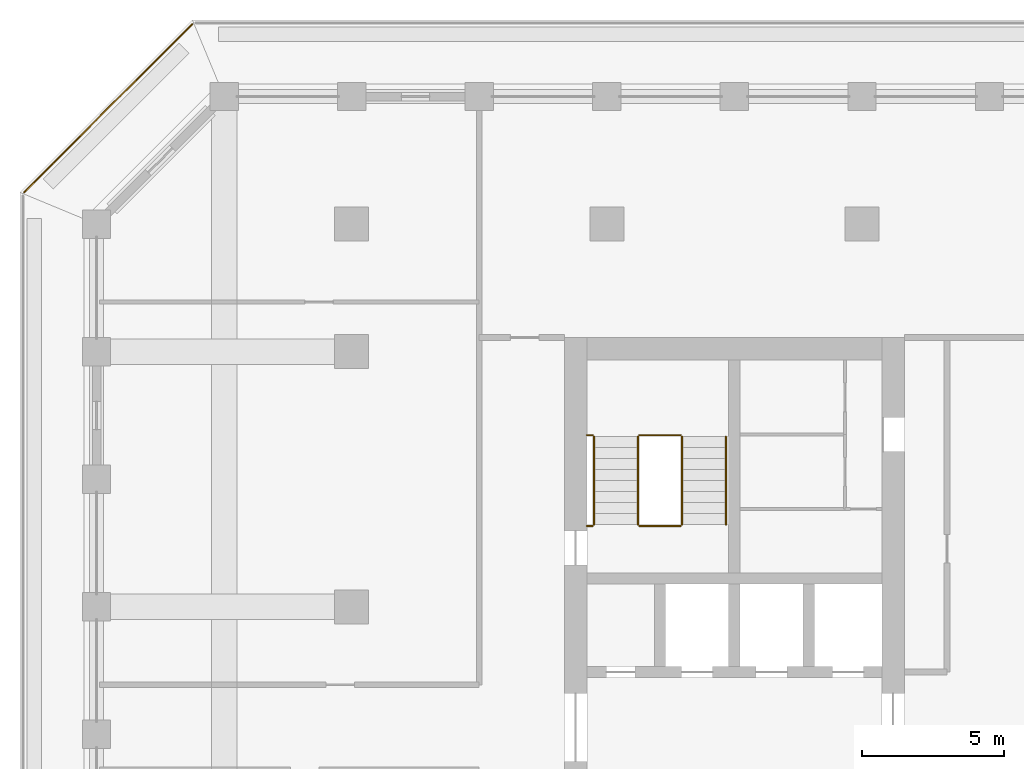
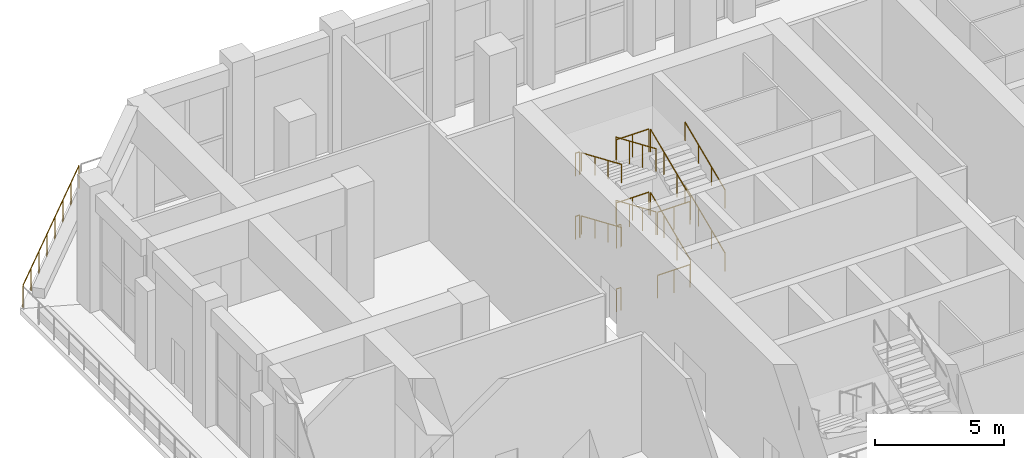
# One storey, part 22 of 25: 17 railings.
"""IFC4 building model written with IfcOpenShell, lengths in metres."""

from ifc_helpers import new_model, si_unit, direction, frame, origin, origin_2d, place, context, subcontext, project, spatial, circle, extrude, material, type_object, element, save


model = new_model("IFC4")

# Units and contexts
model_context = context("Model", 3, precision=1e-05, world=origin(), true_north=direction((0.0, 1.0)))
body_context = subcontext(model_context, "Body", "Model", "MODEL_VIEW")
ifc_project = project(units=[si_unit("LENGTHUNIT", "METRE"), si_unit("AREAUNIT", "SQUARE_METRE"), si_unit("VOLUMEUNIT", "CUBIC_METRE"), si_unit("PLANEANGLEUNIT", "RADIAN"), si_unit("MASSUNIT", "GRAM", prefix="KILO")], contexts=[model_context])

# Site, building, storey
site_placement = place(None, origin())
site = spatial("IfcSite", under=ifc_project, at=site_placement, CompositionType="ELEMENT")
building_placement = place(site_placement, origin())
building = spatial("IfcBuilding", under=site, at=building_placement, Name="Corbel Stack Research Tower", CompositionType="ELEMENT")
storey_placement = place(building_placement, frame((0.0, 0.0, 185.5)))
storey = spatial("IfcBuildingStorey", under=building, at=storey_placement, Name="L42", CompositionType="ELEMENT", Elevation=185.5)

# Railings
ifc_material_1 = material(Name="Steel S355", Category="steel")
railing_type_1 = type_object("IfcRailingType", Name="Stair guard 1100", PredefinedType="GUARDRAIL", material=ifc_material_1)
railing_1_placement = place(storey_placement, frame((-6.35009765625, 11.89990234375, 0.166748046875)))
element("IfcRailing", 1, at=railing_1_placement, inside=storey, type_object=railing_type_1, Name="L42 ST-W2 stair guard 1", PredefinedType="GUARDRAIL", context=body_context, shape_type="SweptSolid", body=[
    extrude(circle(Radius=0.02392578125, at=origin_2d()), frame((0.0, 0.0, 1.076171875), z_axis=(0.0, 0.918826996994, 0.394660549834), x_axis=(-1.0, 0.0, 0.0)), (0.0, 0.0, 1.0), 3.378173828125),
    extrude(circle(Radius=0.02099609375, at=origin_2d()), origin(), (0.0, 0.0, 1.0), 1.052001953125),
    extrude(circle(Radius=0.02099609375, at=origin_2d()), frame((0.0, 1.03466796875, 0.4443359375)), (0.0, 0.0, 1.0), 1.052001953125),
    extrude(circle(Radius=0.02099609375, at=origin_2d()), frame((0.0, 2.0693359375, 0.888916015625)), (0.0, 0.0, 1.0), 1.052001953125),
    extrude(circle(Radius=0.02099609375, at=origin_2d()), frame((0.0, 3.10400390625, 1.333251953125)), (0.0, 0.0, 1.0), 1.052001953125),
])
railing_2_placement = place(storey_placement, frame((-6.39990234375, 15.053955078125, 1.5)))
element("IfcRailing", 2, at=railing_2_placement, inside=storey, type_object=railing_type_1, Name="L42 ST-W2 stair guard 2", PredefinedType="GUARDRAIL", context=body_context, shape_type="SweptSolid", body=[
    extrude(circle(Radius=0.02392578125, at=origin_2d()), frame((0.0, 0.0, 1.076171875), z_axis=(-1.0, 0.0, 0.0), x_axis=(0.0, -1.0, 0.0)), (0.0, 0.0, 1.0), 1.4501953125),
    extrude(circle(Radius=0.02099609375, at=origin_2d()), origin(), (0.0, 0.0, 1.0), 1.052001953125),
    extrude(circle(Radius=0.02099609375, at=origin_2d()), frame((-0.72509765625, 0.0, 0.0)), (0.0, 0.0, 1.0), 1.052001953125),
    extrude(circle(Radius=0.02099609375, at=origin_2d()), frame((-1.4501953125, 0.0, 0.0)), (0.0, 0.0, 1.0), 1.052001953125),
])
railing_3_placement = place(storey_placement, frame((-9.5, 15.053955078125, 1.5)))
element("IfcRailing", 3, at=railing_3_placement, inside=storey, type_object=railing_type_1, Name="L42 ST-W2 stair guard 3", PredefinedType="GUARDRAIL", context=body_context, shape_type="SweptSolid", body=[
    extrude(circle(Radius=0.02392578125, at=origin_2d()), frame((0.0, 0.0, 1.076171875), z_axis=(-1.0, 0.0, 0.0), x_axis=(0.0, -1.0, 0.0)), (0.0, 0.0, 1.0), 0.199951171875),
    extrude(circle(Radius=0.02099609375, at=origin_2d()), origin(), (0.0, 0.0, 1.0), 1.052001953125),
    extrude(circle(Radius=0.02099609375, at=origin_2d()), frame((-0.199951171875, 0.0, 0.0)), (0.0, 0.0, 1.0), 1.052001953125),
])
railing_4_placement = place(storey_placement, frame((-7.89990234375, 15.00390625, 1.666748046875)))
element("IfcRailing", 4, at=railing_4_placement, inside=storey, type_object=railing_type_1, Name="L42 ST-W2 stair guard 4", PredefinedType="GUARDRAIL", context=body_context, shape_type="SweptSolid", body=[
    extrude(circle(Radius=0.02392578125, at=origin_2d()), frame((0.0, 0.0, 1.076171875), z_axis=(0.0, -0.918826996994, 0.394660549834), x_axis=(1.0, 0.0, 0.0)), (0.0, 0.0, 1.0), 3.378173828125),
    extrude(circle(Radius=0.02099609375, at=origin_2d()), origin(), (0.0, 0.0, 1.0), 1.052001953125),
    extrude(circle(Radius=0.02099609375, at=origin_2d()), frame((0.0, -1.03466796875, 0.4443359375)), (0.0, 0.0, 1.0), 1.052001953125),
    extrude(circle(Radius=0.02099609375, at=origin_2d()), frame((0.0, -2.0693359375, 0.888916015625)), (0.0, 0.0, 1.0), 1.052001953125),
    extrude(circle(Radius=0.02099609375, at=origin_2d()), frame((0.0, -3.10400390625, 1.333251953125)), (0.0, 0.0, 1.0), 1.052001953125),
])
railing_5_placement = place(storey_placement, frame((-6.39990234375, 11.85009765625, 3.0)))
element("IfcRailing", 5, at=railing_5_placement, inside=storey, type_object=railing_type_1, Name="L42 ST-W2 stair guard 5", PredefinedType="GUARDRAIL", context=body_context, shape_type="SweptSolid", body=[
    extrude(circle(Radius=0.02392578125, at=origin_2d()), frame((0.0, 0.0, 1.076171875), z_axis=(-1.0, 0.0, 0.0), x_axis=(0.0, -1.0, 0.0)), (0.0, 0.0, 1.0), 1.4501953125),
    extrude(circle(Radius=0.02099609375, at=origin_2d()), origin(), (0.0, 0.0, 1.0), 1.052001953125),
    extrude(circle(Radius=0.02099609375, at=origin_2d()), frame((-0.72509765625, 0.0, 0.0)), (0.0, 0.0, 1.0), 1.052001953125),
    extrude(circle(Radius=0.02099609375, at=origin_2d()), frame((-1.4501953125, 0.0, 0.0)), (0.0, 0.0, 1.0), 1.052001953125),
])
railing_6_placement = place(storey_placement, frame((-9.5, 11.85009765625, 3.0)))
element("IfcRailing", 6, at=railing_6_placement, inside=storey, type_object=railing_type_1, Name="L42 ST-W2 stair guard 6", PredefinedType="GUARDRAIL", context=body_context, shape_type="SweptSolid", body=[
    extrude(circle(Radius=0.02392578125, at=origin_2d()), frame((0.0, 0.0, 1.076171875), z_axis=(-1.0, 0.0, 0.0), x_axis=(0.0, -1.0, 0.0)), (0.0, 0.0, 1.0), 0.199951171875),
    extrude(circle(Radius=0.02099609375, at=origin_2d()), origin(), (0.0, 0.0, 1.0), 1.052001953125),
    extrude(circle(Radius=0.02099609375, at=origin_2d()), frame((-0.199951171875, 0.0, 0.0)), (0.0, 0.0, 1.0), 1.052001953125),
])
railing_7_placement = place(storey_placement, frame((-6.35009765625, 11.89990234375, 3.166748046875)))
element("IfcRailing", 7, at=railing_7_placement, inside=storey, type_object=railing_type_1, Name="L42 ST-W2 stair guard 7", PredefinedType="GUARDRAIL", context=body_context, shape_type="SweptSolid", body=[
    extrude(circle(Radius=0.02392578125, at=origin_2d()), frame((0.0, 0.0, 1.076171875), z_axis=(0.0, 0.918826996994, 0.394660549834), x_axis=(-1.0, 0.0, 0.0)), (0.0, 0.0, 1.0), 3.378173828125),
    extrude(circle(Radius=0.02099609375, at=origin_2d()), origin(), (0.0, 0.0, 1.0), 1.052001953125),
    extrude(circle(Radius=0.02099609375, at=origin_2d()), frame((0.0, 1.03466796875, 0.4443359375)), (0.0, 0.0, 1.0), 1.052001953125),
    extrude(circle(Radius=0.02099609375, at=origin_2d()), frame((0.0, 2.0693359375, 0.888916015625)), (0.0, 0.0, 1.0), 1.052001953125),
    extrude(circle(Radius=0.02099609375, at=origin_2d()), frame((0.0, 3.10400390625, 1.333251953125)), (0.0, 0.0, 1.0), 1.052001953125),
])
railing_8_placement = place(storey_placement, frame((-6.39990234375, 15.053955078125, 4.5)))
element("IfcRailing", 8, at=railing_8_placement, inside=storey, type_object=railing_type_1, Name="L42 ST-W2 stair guard 8", PredefinedType="GUARDRAIL", context=body_context, shape_type="SweptSolid", body=[
    extrude(circle(Radius=0.02392578125, at=origin_2d()), frame((0.0, 0.0, 1.076171875), z_axis=(-1.0, 0.0, 0.0), x_axis=(0.0, -1.0, 0.0)), (0.0, 0.0, 1.0), 1.4501953125),
    extrude(circle(Radius=0.02099609375, at=origin_2d()), origin(), (0.0, 0.0, 1.0), 1.052001953125),
    extrude(circle(Radius=0.02099609375, at=origin_2d()), frame((-0.72509765625, 0.0, 0.0)), (0.0, 0.0, 1.0), 1.052001953125),
    extrude(circle(Radius=0.02099609375, at=origin_2d()), frame((-1.4501953125, 0.0, 0.0)), (0.0, 0.0, 1.0), 1.052001953125),
])
railing_9_placement = place(storey_placement, frame((-9.5, 15.053955078125, 4.5)))
element("IfcRailing", 9, at=railing_9_placement, inside=storey, type_object=railing_type_1, Name="L42 ST-W2 stair guard 9", PredefinedType="GUARDRAIL", context=body_context, shape_type="SweptSolid", body=[
    extrude(circle(Radius=0.02392578125, at=origin_2d()), frame((0.0, 0.0, 1.076171875), z_axis=(-1.0, 0.0, 0.0), x_axis=(0.0, -1.0, 0.0)), (0.0, 0.0, 1.0), 0.199951171875),
    extrude(circle(Radius=0.02099609375, at=origin_2d()), origin(), (0.0, 0.0, 1.0), 1.052001953125),
    extrude(circle(Radius=0.02099609375, at=origin_2d()), frame((-0.199951171875, 0.0, 0.0)), (0.0, 0.0, 1.0), 1.052001953125),
])
railing_10_placement = place(storey_placement, frame((-7.89990234375, 15.00390625, 4.666748046875)))
element("IfcRailing", 10, at=railing_10_placement, inside=storey, type_object=railing_type_1, Name="L42 ST-W2 stair guard 10", PredefinedType="GUARDRAIL", context=body_context, shape_type="SweptSolid", body=[
    extrude(circle(Radius=0.02392578125, at=origin_2d()), frame((0.0, 0.0, 1.076171875), z_axis=(0.0, -0.918826996994, 0.394660549834), x_axis=(1.0, 0.0, 0.0)), (0.0, 0.0, 1.0), 3.378173828125),
    extrude(circle(Radius=0.02099609375, at=origin_2d()), origin(), (0.0, 0.0, 1.0), 1.052001953125),
    extrude(circle(Radius=0.02099609375, at=origin_2d()), frame((0.0, -1.03466796875, 0.4443359375)), (0.0, 0.0, 1.0), 1.052001953125),
    extrude(circle(Radius=0.02099609375, at=origin_2d()), frame((0.0, -2.0693359375, 0.888916015625)), (0.0, 0.0, 1.0), 1.052001953125),
    extrude(circle(Radius=0.02099609375, at=origin_2d()), frame((0.0, -3.10400390625, 1.333251953125)), (0.0, 0.0, 1.0), 1.052001953125),
])
railing_11_placement = place(storey_placement, frame((-6.39990234375, 11.85009765625, 0.0)))
element("IfcRailing", 11, at=railing_11_placement, inside=storey, type_object=railing_type_1, Name="L42 ST-W2 stair guard 11", PredefinedType="GUARDRAIL", context=body_context, shape_type="SweptSolid", body=[
    extrude(circle(Radius=0.02392578125, at=origin_2d()), frame((0.0, 0.0, 1.076171875), z_axis=(-1.0, 0.0, 0.0), x_axis=(0.0, -1.0, 0.0)), (0.0, 0.0, 1.0), 1.4501953125),
    extrude(circle(Radius=0.02099609375, at=origin_2d()), origin(), (0.0, 0.0, 1.0), 1.052001953125),
    extrude(circle(Radius=0.02099609375, at=origin_2d()), frame((-0.72509765625, 0.0, 0.0)), (0.0, 0.0, 1.0), 1.052001953125),
    extrude(circle(Radius=0.02099609375, at=origin_2d()), frame((-1.4501953125, 0.0, 0.0)), (0.0, 0.0, 1.0), 1.052001953125),
])
railing_12_placement = place(storey_placement, frame((-9.5, 11.85009765625, 0.0)))
element("IfcRailing", 12, at=railing_12_placement, inside=storey, type_object=railing_type_1, Name="L42 ST-W2 stair guard 12", PredefinedType="GUARDRAIL", context=body_context, shape_type="SweptSolid", body=[
    extrude(circle(Radius=0.02392578125, at=origin_2d()), frame((0.0, 0.0, 1.076171875), z_axis=(-1.0, 0.0, 0.0), x_axis=(0.0, -1.0, 0.0)), (0.0, 0.0, 1.0), 0.199951171875),
    extrude(circle(Radius=0.02099609375, at=origin_2d()), origin(), (0.0, 0.0, 1.0), 1.052001953125),
    extrude(circle(Radius=0.02099609375, at=origin_2d()), frame((-0.199951171875, 0.0, 0.0)), (0.0, 0.0, 1.0), 1.052001953125),
])
ifc_material_2 = material(Name="Steel S355", Category="steel")
railing_type_2 = type_object("IfcRailingType", Name="Stair handrail 900", PredefinedType="HANDRAIL", material=ifc_material_2)
railing_13_placement = place(storey_placement, frame((-4.800048828125, 11.89990234375, 0.166748046875)))
element("IfcRailing", 13, at=railing_13_placement, inside=storey, type_object=railing_type_2, Name="L42 ST-W2 stair handrail 1", PredefinedType="HANDRAIL", context=body_context, shape_type="SweptSolid", body=[
    extrude(circle(Radius=0.02392578125, at=origin_2d()), frame((0.0, 0.0, 0.8759765625), z_axis=(0.0, 0.918826996994, 0.394660549834), x_axis=(-1.0, 0.0, 0.0)), (0.0, 0.0, 1.0), 3.378173828125),
    extrude(circle(Radius=0.02099609375, at=origin_2d()), origin(), (0.0, 0.0, 1.0), 0.851806640625),
    extrude(circle(Radius=0.02099609375, at=origin_2d()), frame((0.0, 1.03466796875, 0.4443359375)), (0.0, 0.0, 1.0), 0.851806640625),
    extrude(circle(Radius=0.02099609375, at=origin_2d()), frame((0.0, 2.0693359375, 0.888916015625)), (0.0, 0.0, 1.0), 0.851806640625),
    extrude(circle(Radius=0.02099609375, at=origin_2d()), frame((0.0, 3.10400390625, 1.333251953125)), (0.0, 0.0, 1.0), 0.851806640625),
])
railing_14_placement = place(storey_placement, frame((-9.449951171875, 15.00390625, 1.666748046875)))
element("IfcRailing", 14, at=railing_14_placement, inside=storey, type_object=railing_type_2, Name="L42 ST-W2 stair handrail 2", PredefinedType="HANDRAIL", context=body_context, shape_type="SweptSolid", body=[
    extrude(circle(Radius=0.02392578125, at=origin_2d()), frame((0.0, 0.0, 0.8759765625), z_axis=(0.0, -0.918826996994, 0.394660549834), x_axis=(1.0, 0.0, 0.0)), (0.0, 0.0, 1.0), 3.378173828125),
    extrude(circle(Radius=0.02099609375, at=origin_2d()), origin(), (0.0, 0.0, 1.0), 0.851806640625),
    extrude(circle(Radius=0.02099609375, at=origin_2d()), frame((0.0, -1.03466796875, 0.4443359375)), (0.0, 0.0, 1.0), 0.851806640625),
    extrude(circle(Radius=0.02099609375, at=origin_2d()), frame((0.0, -2.0693359375, 0.888916015625)), (0.0, 0.0, 1.0), 0.851806640625),
    extrude(circle(Radius=0.02099609375, at=origin_2d()), frame((0.0, -3.10400390625, 1.333251953125)), (0.0, 0.0, 1.0), 0.851806640625),
])
railing_15_placement = place(storey_placement, frame((-4.800048828125, 11.89990234375, 3.166748046875)))
element("IfcRailing", 15, at=railing_15_placement, inside=storey, type_object=railing_type_2, Name="L42 ST-W2 stair handrail 3", PredefinedType="HANDRAIL", context=body_context, shape_type="SweptSolid", body=[
    extrude(circle(Radius=0.02392578125, at=origin_2d()), frame((0.0, 0.0, 0.8759765625), z_axis=(0.0, 0.918826996994, 0.394660549834), x_axis=(-1.0, 0.0, 0.0)), (0.0, 0.0, 1.0), 3.378173828125),
    extrude(circle(Radius=0.02099609375, at=origin_2d()), origin(), (0.0, 0.0, 1.0), 0.851806640625),
    extrude(circle(Radius=0.02099609375, at=origin_2d()), frame((0.0, 1.03466796875, 0.4443359375)), (0.0, 0.0, 1.0), 0.851806640625),
    extrude(circle(Radius=0.02099609375, at=origin_2d()), frame((0.0, 2.0693359375, 0.888916015625)), (0.0, 0.0, 1.0), 0.851806640625),
    extrude(circle(Radius=0.02099609375, at=origin_2d()), frame((0.0, 3.10400390625, 1.333251953125)), (0.0, 0.0, 1.0), 0.851806640625),
])
railing_16_placement = place(storey_placement, frame((-9.449951171875, 15.00390625, 4.666748046875)))
element("IfcRailing", 16, at=railing_16_placement, inside=storey, type_object=railing_type_2, Name="L42 ST-W2 stair handrail 4", PredefinedType="HANDRAIL", context=body_context, shape_type="SweptSolid", body=[
    extrude(circle(Radius=0.02392578125, at=origin_2d()), frame((0.0, 0.0, 0.8759765625), z_axis=(0.0, -0.918826996994, 0.394660549834), x_axis=(1.0, 0.0, 0.0)), (0.0, 0.0, 1.0), 3.378173828125),
    extrude(circle(Radius=0.02099609375, at=origin_2d()), origin(), (0.0, 0.0, 1.0), 0.851806640625),
    extrude(circle(Radius=0.02099609375, at=origin_2d()), frame((0.0, -1.03466796875, 0.4443359375)), (0.0, 0.0, 1.0), 0.851806640625),
    extrude(circle(Radius=0.02099609375, at=origin_2d()), frame((0.0, -2.0693359375, 0.888916015625)), (0.0, 0.0, 1.0), 0.851806640625),
    extrude(circle(Radius=0.02099609375, at=origin_2d()), frame((0.0, -3.10400390625, 1.333251953125)), (0.0, 0.0, 1.0), 0.851806640625),
])
ifc_material_3 = material(Name="Powder-coated steel guard", Category="steel")
railing_type_3 = type_object("IfcRailingType", Name="Steel and glass guard 1100", PredefinedType="GUARDRAIL", material=ifc_material_3)
railing_17_placement = place(storey_placement, frame((-23.627685546875, 29.54931640625, 0.0)))
element("IfcRailing", 17, at=railing_17_placement, inside=storey, type_object=railing_type_3, Name="Loggia guard L42 NW", PredefinedType="GUARDRAIL", context=body_context, shape_type="SweptSolid", body=[
    extrude(circle(Radius=0.02392578125, at=origin_2d()), frame((0.0, 0.0, 1.076171875), z_axis=(-0.707106781187, -0.707106781187, 0.0), x_axis=(0.707106781187, -0.707106781187, 0.0)), (0.0, 0.0, 1.0), 8.37451171875),
    extrude(circle(Radius=0.02099609375, at=origin_2d()), origin(), (0.0, 0.0, 1.0), 1.052001953125),
    extrude(circle(Radius=0.02099609375, at=origin_2d()), frame((-0.845947265625, -0.845947265625, 0.0)), (0.0, 0.0, 1.0), 1.052001953125),
    extrude(circle(Radius=0.02099609375, at=origin_2d()), frame((-1.69189453125, -1.69189453125, 0.0)), (0.0, 0.0, 1.0), 1.052001953125),
    extrude(circle(Radius=0.02099609375, at=origin_2d()), frame((-2.537841796875, -2.537841796875, 0.0)), (0.0, 0.0, 1.0), 1.052001953125),
    extrude(circle(Radius=0.02099609375, at=origin_2d()), frame((-3.3837890625, -3.3837890625, 0.0)), (0.0, 0.0, 1.0), 1.052001953125),
    extrude(circle(Radius=0.02099609375, at=origin_2d()), frame((-4.229736328125, -4.229736328125, 0.0)), (0.0, 0.0, 1.0), 1.052001953125),
    extrude(circle(Radius=0.02099609375, at=origin_2d()), frame((-5.07568359375, -5.07568359375, 0.0)), (0.0, 0.0, 1.0), 1.052001953125),
    extrude(circle(Radius=0.02099609375, at=origin_2d()), frame((-5.921630859375, -5.921630859375, 0.0)), (0.0, 0.0, 1.0), 1.052001953125),
])

save(model, "model.ifc")
